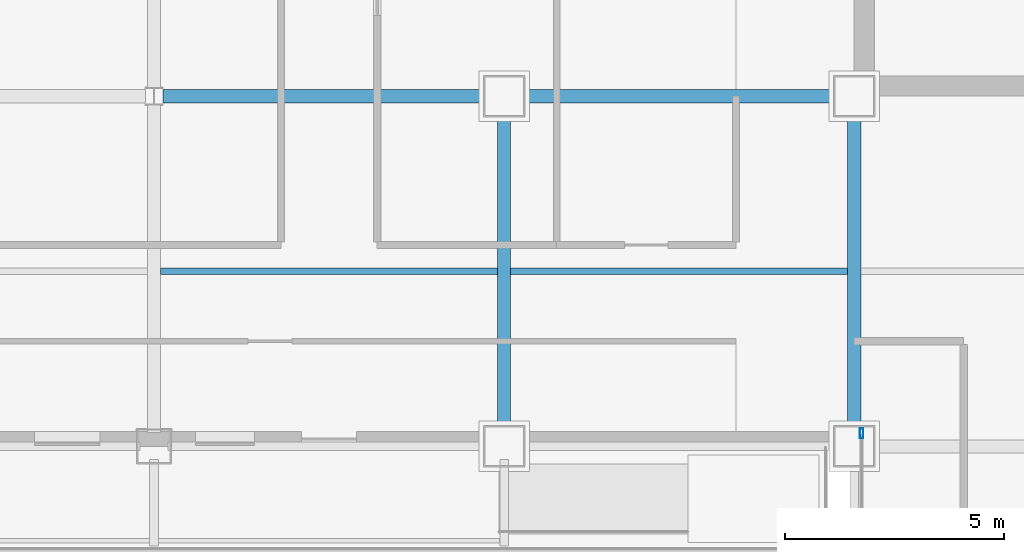
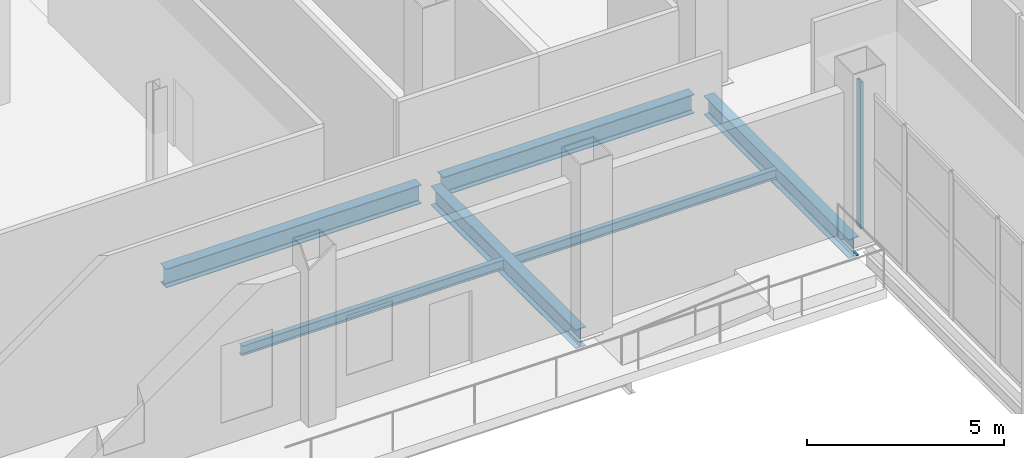
# One storey, part 8 of 21: 6 beams, 1 member, 1 element without a shape of its own.
"""IFC4 building model written with IfcOpenShell, lengths in metres."""

from ifc_helpers import new_model, si_unit, direction, frame, origin, origin_2d, place, context, subcontext, project, spatial, hollow_rectangle, i_section, extrude, material, layer, layer_set, material_profile, profile_set, type_object, element, aggregate, save


model = new_model("IFC4")

# Units and contexts
model_context = context("Model", 3, precision=1e-05, world=origin(), true_north=direction((0.0, 1.0)))
body_context = subcontext(model_context, "Body", "Model", "MODEL_VIEW")
ifc_project = project(units=[si_unit("LENGTHUNIT", "METRE"), si_unit("AREAUNIT", "SQUARE_METRE"), si_unit("VOLUMEUNIT", "CUBIC_METRE"), si_unit("PLANEANGLEUNIT", "RADIAN"), si_unit("MASSUNIT", "GRAM", prefix="KILO")], contexts=[model_context])

# Site, building, storey
site_placement = place(None, origin())
site = spatial("IfcSite", under=ifc_project, at=site_placement, CompositionType="ELEMENT")
building_placement = place(site_placement, origin())
building = spatial("IfcBuilding", under=site, at=building_placement, Name="Qianrong Seaharbour Tower", CompositionType="ELEMENT")
storey_placement = place(building_placement, frame((0.0, 0.0, 200.39990234375)))
storey = spatial("IfcBuildingStorey", under=building, at=storey_placement, Name="L48", CompositionType="ELEMENT", Elevation=200.39990234375)

# Beams
ifc_material_1 = material(Name="Structural steel SN490B", Category="steel")
ifc_material_profile_1 = material_profile(ifc_material_1, i_section(OverallWidth=0.300048828125, OverallDepth=0.587890625, WebThickness=0.011962890625, FlangeThickness=0.02001953125, FilletRadius=0.02392578125, at=origin_2d()), Name="H588x300x12x20")
ifc_profile_set_1 = profile_set([ifc_material_profile_1], Name="Structural steel SN490B")
beam_type_1 = type_object("IfcBeamType", Name="BM-G-588", PredefinedType="BEAM", material=ifc_profile_set_1)
beam_placement = place(storey_placement, frame((24.699951171875, 36.0, -0.593994140625), z_axis=(1.0, 0.0, 0.0), x_axis=(0.0, 1.0, 0.0)))
element("IfcBeam", 1, at=beam_placement, inside=storey, type_object=beam_type_1, Name="L48 Primary Girder GF G4-G5", PredefinedType="BEAM", context=body_context, shape_type="SweptSolid", body=[
    extrude(i_section(OverallWidth=0.300048828125, OverallDepth=0.587890625, WebThickness=0.011962890625, FlangeThickness=0.02001953125, FilletRadius=0.02392578125, at=origin_2d()), origin(), (0.0, 0.0, 1.0), 7.47998046875),
])
for number, where, z_axis, x_axis, name in (
    (2, (32.820068359375, 36.0, -0.593994140625), (1.0, 0.0, 0.0), (0.0, 1.0, 0.0), "L48 Primary Girder GF G5-G6"),
    (3, (32.5, 28.320068359375, -0.593994140625), (0.0, 1.0, 0.0), (-1.0, 0.0, 0.0), "L48 Primary Girder G5 GE-GF"),
    (4, (40.5, 28.320068359375, -0.593994140625), (0.0, 1.0, 0.0), (-1.0, 0.0, 0.0), "L48 Primary Girder G6 GE-GF"),
):
    element("IfcBeam", number, at=place(storey_placement, frame(where, z_axis=z_axis, x_axis=x_axis)), inside=storey, type_object=beam_type_1, Name=name, PredefinedType="BEAM", context=body_context, shape_type="SweptSolid", body=[
        extrude(i_section(OverallWidth=0.300048828125, OverallDepth=0.587890625, WebThickness=0.011962890625, FlangeThickness=0.02001953125, FilletRadius=0.02392578125, at=origin_2d()), origin(), (0.0, 0.0, 1.0), 7.35986328125),
    ])
ifc_material_2 = material(Name="Structural steel SN400B", Category="steel")
ifc_material_profile_2 = material_profile(ifc_material_2, i_section(OverallWidth=0.14990234375, OverallDepth=0.300048828125, WebThickness=0.006591796875, FlangeThickness=0.009033203125, FilletRadius=0.012939453125, at=origin_2d()), Name="H300x150x6.5x9")
ifc_profile_set_2 = profile_set([ifc_material_profile_2], Name="Structural steel SN400B")
beam_type_2 = type_object("IfcBeamType", Name="BM-J-300", PredefinedType="JOIST", material=ifc_profile_set_2)
for number, where, z_axis, x_axis, name in (
    (5, (24.64990234375, 32.0, -0.449951171875), (1.0, 0.0, 0.0), (0.0, 1.0, 0.0), "L48 Composite Floor Joist G4-G5/GE-GF"),
    (6, (32.64990234375, 32.0, -0.449951171875), (1.0, 0.0, 0.0), (0.0, 1.0, 0.0), "L48 Composite Floor Joist G5-G6/GE-GF"),
):
    element("IfcBeam", number, at=place(storey_placement, frame(where, z_axis=z_axis, x_axis=x_axis)), inside=storey, type_object=beam_type_2, Name=name, PredefinedType="JOIST", context=body_context, shape_type="SweptSolid", body=[
        extrude(i_section(OverallWidth=0.14990234375, OverallDepth=0.300048828125, WebThickness=0.006591796875, FlangeThickness=0.009033203125, FilletRadius=0.012939453125, at=origin_2d()), origin(), (0.0, 0.0, 1.0), 7.7001953125),
    ])

# Curtain wall, member
ifc_material_3 = material(Name="Anodised aluminium 6063-T6 and laminated low-e glass", Category="aluminium")
ifc_layer = layer(ifc_material_3, 0.2099609375)
ifc_layer_set = layer_set([ifc_layer], Name="Anodised aluminium 6063-T6 and laminated low-e glass")
curtain_wall_type = type_object("IfcCurtainWallType", Name="CW-SYS-2", PredefinedType="NOTDEFINED", material=ifc_layer_set)
curtain_wall_placement = place(storey_placement, origin())
curtain_wall = element("IfcCurtainWall", 7, at=curtain_wall_placement, inside=storey, type_object=curtain_wall_type, Name="L48 Sky-Lobby Feature Curtain Wall REENTRANT_WEST", PredefinedType="NOTDEFINED")
ifc_material_4 = material(Name="Extruded aluminium 6063-T6", Category="aluminium")
ifc_material_profile_3 = material_profile(ifc_material_4, hollow_rectangle(XDim=0.080078125, YDim=0.219970703125, WallThickness=0.0048828125, at=origin_2d()), Name="ALU-MUL-220x80x5")
ifc_profile_set_3 = profile_set([ifc_material_profile_3], Name="Extruded aluminium 6063-T6")
member_type = type_object("IfcMemberType", Name="CW-MUL-220", PredefinedType="MULLION", material=ifc_profile_set_3)
member_placement = place(storey_placement, frame((40.669921875, 28.300048828125, 0.0), z_axis=(0.0, 0.0, 1.0), x_axis=(-1.0, 0.0, 0.0)))
member = element("IfcMember", 8, at=member_placement, type_object=member_type, Name="CW-2 mullion 6", PredefinedType="MULLION", context=body_context, shape_type="SweptSolid", body=[
    extrude(hollow_rectangle(XDim=0.080078125, YDim=0.219970703125, WallThickness=0.0048828125, at=origin_2d()), origin(), (0.0, 0.0, 1.0), 4.547119140625),
])
aggregate(curtain_wall, [member])

save(model, "model.ifc")
